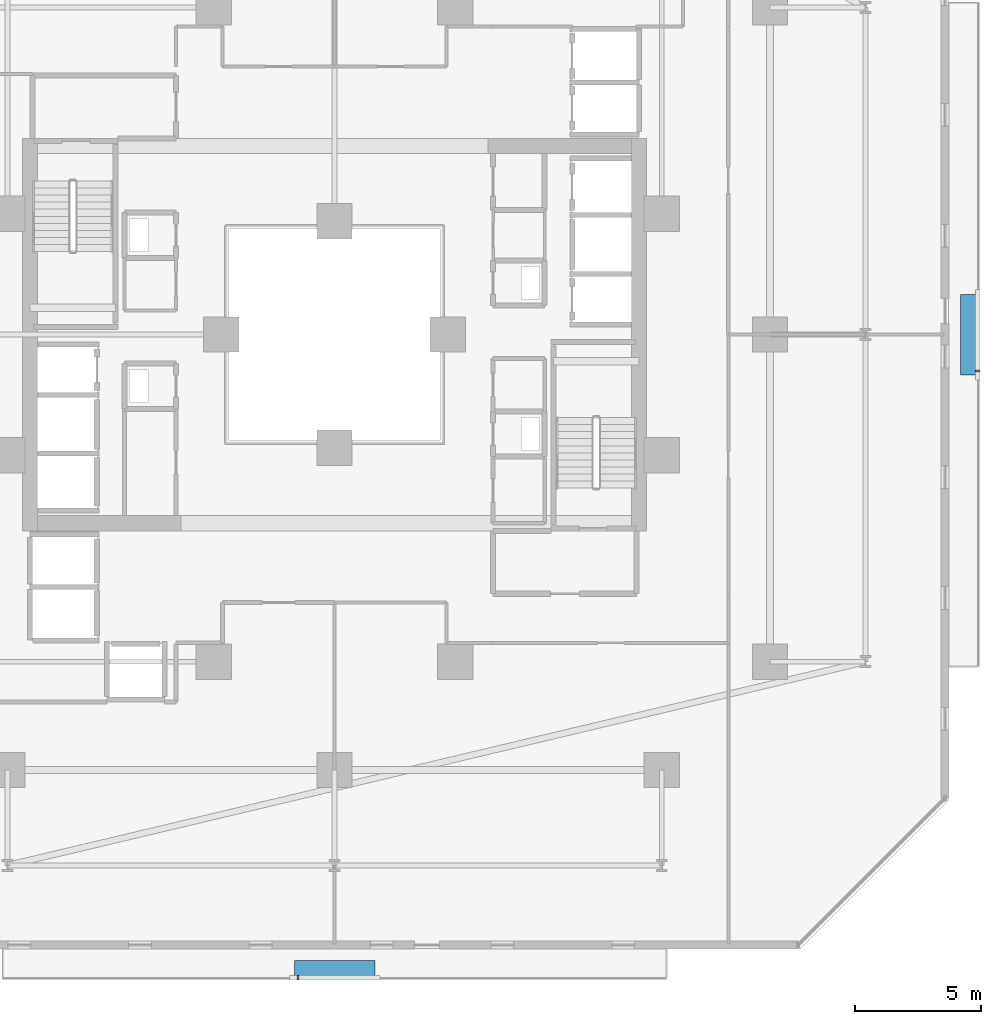
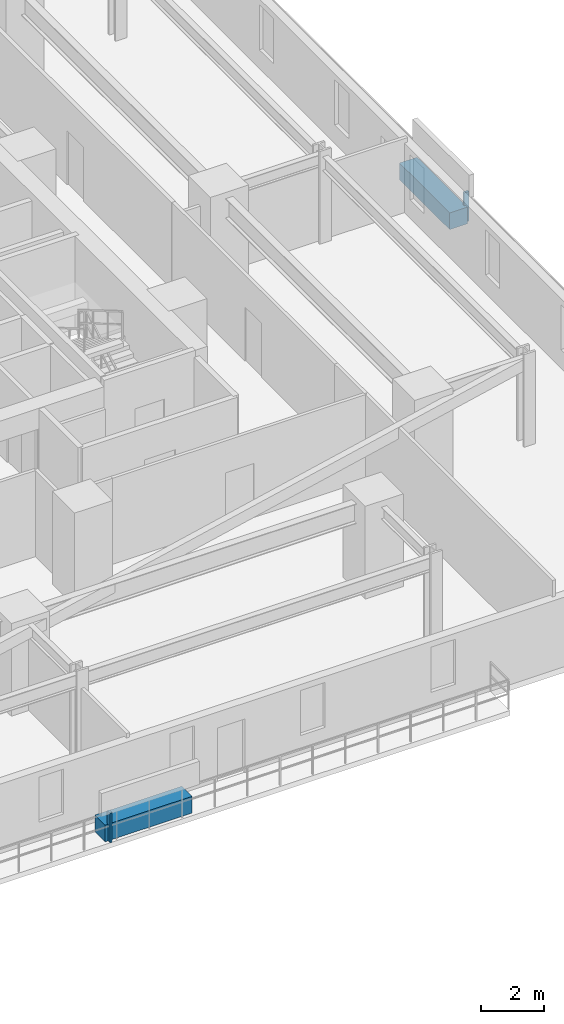
# One storey, part 28 of 33: 4 discrete accessories.
"""IFC4 building model written with IfcOpenShell, lengths in metres."""

import ifcopenshell
import ifcopenshell.guid

model = None  # the IFC model being written
_history = None  # IfcOwnerHistory: only IFC2X3 demands one
_inside = {}  # id of a spatial element -> (the spatial element, [elements in it])
_under = {}  # id of a project, library or spatial element -> (it, [spatial elements below it])
_declared = {}  # id of a project -> (the project, [libraries it declares])
_typed = {}  # id of a type object -> (the type object, [elements of that type])
_made_of = {}  # id of a material, layer set ... -> (it, [elements and type objects made of it])


def new_model(schema):
    """Start an empty IFC model of exactly this schema.

    Asked for "IFC4X3", IfcOpenShell would pick the latest addendum, in which some entities
    have other attributes; the version numbers below select the first issue.
    IFC2X3 requires an IfcOwnerHistory on every rooted entity: one is made here for all.
    """
    global model, _history
    if schema == "IFC4X3":
        model = ifcopenshell.file(schema_version=(4, 3, 0, 0))
    else:
        model = ifcopenshell.file(schema=schema)
    _inside.clear()
    _under.clear()
    _declared.clear()
    _typed.clear()
    _made_of.clear()
    _history = None
    if model.schema == "IFC2X3":
        org = make("IfcOrganization", Name="unknown")
        user = make(
            "IfcPersonAndOrganization",
            ThePerson=make("IfcPerson", FamilyName="unknown"),
            TheOrganization=org,
        )
        app = make(
            "IfcApplication",
            ApplicationDeveloper=org,
            Version="unknown",
            ApplicationFullName="unknown",
            ApplicationIdentifier="unknown",
        )
        _history = make(
            "IfcOwnerHistory",
            OwningUser=user,
            OwningApplication=app,
            ChangeAction="ADDED",
            CreationDate=0,
        )
    return model


def make(cls, **values):
    """One entity of the class cls with the attributes given. An attribute that is None is left unset."""
    return model.create_entity(
        cls, **{name: value for name, value in values.items() if value is not None}
    )


def rooted(cls, **values):
    """An entity with a GlobalId (a new one), such as an element, a storey or a relation."""
    return make(cls, GlobalId=ifcopenshell.guid.new(), OwnerHistory=_history, **values)


def si_unit(unit_type, name, prefix=None):
    """IfcSIUnit, for example si_unit("LENGTHUNIT", "METRE", prefix="MILLI")."""
    return make("IfcSIUnit", UnitType=unit_type, Prefix=prefix, Name=name)


def assignment(units):
    """IfcUnitAssignment: the units of a project."""
    return None if units is None else make("IfcUnitAssignment", Units=units)


def point(xyz):
    """IfcCartesianPoint."""
    return None if xyz is None else make("IfcCartesianPoint", Coordinates=xyz)


def direction(xyz):
    """IfcDirection."""
    return None if xyz is None else make("IfcDirection", DirectionRatios=xyz)


def frame(location, z_axis=None, x_axis=None):
    """IfcAxis2Placement3D, a coordinate frame: its origin and axes. An axis left out is left unset."""
    return make(
        "IfcAxis2Placement3D",
        Location=point(location),
        Axis=direction(z_axis),
        RefDirection=direction(x_axis),
    )


def frame_2d(location, x_axis=None):
    """IfcAxis2Placement2D, a coordinate frame in the plane: its origin and x axis."""
    return make(
        "IfcAxis2Placement2D", Location=point(location), RefDirection=direction(x_axis)
    )


def origin():
    """The frame at (0, 0, 0) with its axes left unset."""
    return frame((0.0, 0.0, 0.0))


def origin_2d():
    """The frame at (0, 0) in the plane with its x axis left unset."""
    return frame_2d((0.0, 0.0))


def place(relative_to, where):
    """IfcLocalPlacement: puts the frame where relative to a parent placement (None: the world)."""
    return make(
        "IfcLocalPlacement", PlacementRelTo=relative_to, RelativePlacement=where
    )


def context(
    kind, dimensions, precision=None, world=None, true_north=None, identifier=None
):
    """IfcGeometricRepresentationContext, for example the 3D "Model" context."""
    return make(
        "IfcGeometricRepresentationContext",
        ContextIdentifier=identifier,
        ContextType=kind,
        CoordinateSpaceDimension=dimensions,
        Precision=precision,
        WorldCoordinateSystem=world,
        TrueNorth=true_north,
    )


def subcontext(parent, identifier, kind, view, scale=None):
    """IfcGeometricRepresentationSubContext, for example "Body" below "Model"."""
    return make(
        "IfcGeometricRepresentationSubContext",
        ContextIdentifier=identifier,
        ContextType=kind,
        ParentContext=parent,
        TargetScale=scale,
        TargetView=view,
    )


def project(units=None, contexts=None):
    """IfcProject with its units and contexts."""
    return rooted(
        "IfcProject",
        Name="project",
        RepresentationContexts=contexts,
        UnitsInContext=assignment(units),
    )


def spatial(cls, under=None, at=None, **own):
    """A site, building, storey or space (cls), placed at a placement, below another one or the project."""
    s = rooted(cls, ObjectPlacement=at, **own)
    if under is not None:
        _under.setdefault(under.id(), (under, []))[1].append(s)
    return s


def profile(cls, at=None, kind="AREA", **sizes):
    """A parametric profile (cls). Its sizes go by their IFC names, for example OverallWidth=200.0."""
    return make(cls, ProfileType=kind, Position=at, **sizes)


def rectangle(**sizes):
    """IfcRectangleProfileDef."""
    return profile("IfcRectangleProfileDef", **sizes)


def extrude(swept, where, along, depth):
    """IfcExtrudedAreaSolid: the profile swept, set in the frame where, extruded along a direction by depth."""
    return make(
        "IfcExtrudedAreaSolid",
        SweptArea=swept,
        Position=where,
        ExtrudedDirection=direction(along),
        Depth=depth,
    )


def shape(context_of_items, identifier, shape_type, items):
    """IfcShapeRepresentation: the items that make up one representation, for example the "Body"."""
    return make(
        "IfcShapeRepresentation",
        ContextOfItems=context_of_items,
        RepresentationIdentifier=identifier,
        RepresentationType=shape_type,
        Items=items,
    )


def material(Name=None, Category=None):
    """IfcMaterial."""
    return make("IfcMaterial", Name=Name, Category=Category)


def made_of(thing, what):
    """Note that an element or type object is made of a material, layer set ...; save() writes the relation."""
    if what is not None:
        _made_of.setdefault(what.id(), (what, []))[1].append(thing)
    return thing


def type_object(cls, material=None, **own):
    """A type object (cls), such as IfcWallType, which elements share."""
    return made_of(rooted(cls, **own), material)


def element(
    cls,
    number,
    at=None,
    inside=None,
    cuts=None,
    type_object=None,
    material=None,
    context=None,
    identifier="Body",
    shape_type=None,
    held_by="IfcProductDefinitionShape",
    body=None,
    shapes=None,
    **own,
):
    """One element of the class cls, such as IfcWall. Its Tag is "e" and its number.

    at: its placement. inside: the storey or other place that contains it. cuts: it is an
    opening in that element (IfcRelVoidsElement). A single representation is given by context,
    identifier, shape_type and body (its items); several are given by shapes. held_by: the class
    of the entity that holds the representations. save() writes the other relations.
    """
    e = rooted(cls, Tag="e%d" % number, ObjectPlacement=at, **own)
    if body is not None:
        shapes = [shape(context, identifier, shape_type, body)]
    if shapes is not None:
        e.Representation = make(held_by, Representations=shapes)
    if inside is not None:
        _inside.setdefault(inside.id(), (inside, []))[1].append(e)
    if cuts is not None:
        rooted(
            "IfcRelVoidsElement", RelatingBuildingElement=cuts, RelatedOpeningElement=e
        )
    if type_object is not None:
        _typed.setdefault(type_object.id(), (type_object, []))[1].append(e)
    return made_of(e, material)


def aggregate(whole, parts):
    """IfcRelAggregates: a whole, such as a stair, and the parts it consists of."""
    return rooted("IfcRelAggregates", RelatingObject=whole, RelatedObjects=parts)


def save(model, path):
    """Write the relations noted so far, then the file.

    IfcRelAggregates (storeys below a building ...), IfcRelContainedInSpatialStructure (elements
    in a storey), IfcRelDefinesByType, IfcRelAssociatesMaterial and IfcRelDeclares: one each for
    every whole, place, type object, material and project.
    """
    for whole, parts in _under.values():
        aggregate(whole, parts)
    for where, things in _inside.values():
        rooted(
            "IfcRelContainedInSpatialStructure",
            RelatedElements=things,
            RelatingStructure=where,
        )
    for kind, things in _typed.values():
        rooted("IfcRelDefinesByType", RelatedObjects=things, RelatingType=kind)
    for what, things in _made_of.values():
        rooted("IfcRelAssociatesMaterial", RelatedObjects=things, RelatingMaterial=what)
    for by, libraries in _declared.values():
        rooted("IfcRelDeclares", RelatingContext=by, RelatedDefinitions=libraries)
    model.write(path)


model = new_model("IFC4")

# Units and contexts
model_context = context("Model", 3, precision=1e-05, world=origin(), true_north=direction((0.0, 1.0)))
body_context = subcontext(model_context, "Body", "Model", "MODEL_VIEW")
ifc_project = project(units=[si_unit("LENGTHUNIT", "METRE"), si_unit("AREAUNIT", "SQUARE_METRE"), si_unit("VOLUMEUNIT", "CUBIC_METRE"), si_unit("PLANEANGLEUNIT", "RADIAN"), si_unit("MASSUNIT", "GRAM", prefix="KILO")], contexts=[model_context])

# Site, building, storey
site_placement = place(None, origin())
site = spatial("IfcSite", under=ifc_project, at=site_placement, CompositionType="ELEMENT")
building_placement = place(site_placement, origin())
building = spatial("IfcBuilding", under=site, at=building_placement, Name="Thornwick Lancets Civic Towers", CompositionType="ELEMENT")
storey_placement = place(building_placement, frame((0.0, 0.0, 31.5)))
storey = spatial("IfcBuildingStorey", under=building, at=storey_placement, Name="L07", CompositionType="ELEMENT", Elevation=31.5)

# Discrete accessories
ifc_material_1 = material(Name="Planted terracotta greenery planter", Category="masonry")
discrete_accessory_type_1 = type_object("IfcDiscreteAccessoryType", Name="ACC_PLANTER_BOX", PredefinedType="USERDEFINED", material=ifc_material_1)
discrete_accessory_1_placement = place(storey_placement, frame((88.5, 1.800048828125, 0.0), z_axis=(0.0, 0.0, 1.0), x_axis=(1.0, 0.0, 0.0)))
element("IfcDiscreteAccessory", 1, at=discrete_accessory_1_placement, inside=storey, type_object=discrete_accessory_type_1, Name="L07 Tower B Balcony Greenery Planter S", ObjectType="PLANTER", PredefinedType="USERDEFINED", context=body_context, shape_type="SweptSolid", body=[
    extrude(rectangle(XDim=3.199951171875, YDim=0.64990234375, at=origin_2d()), origin(), (0.0, 0.0, 1.0), 0.64990234375),
])
discrete_accessory_2_placement = place(storey_placement, frame((113.699951171875, 27.0, 0.0), z_axis=(0.0, 0.0, 1.0), x_axis=(1.0, 0.0, 0.0)))
element("IfcDiscreteAccessory", 2, at=discrete_accessory_2_placement, inside=storey, type_object=discrete_accessory_type_1, Name="L07 Tower B Balcony Greenery Planter E", ObjectType="PLANTER", PredefinedType="USERDEFINED", context=body_context, shape_type="SweptSolid", body=[
    extrude(rectangle(XDim=0.64990234375, YDim=3.199951171875, at=origin_2d()), origin(), (0.0, 0.0, 1.0), 0.64990234375),
])
ifc_material_2 = material(Name="Stainless steel S355", Category="steel")
discrete_accessory_type_2 = type_object("IfcDiscreteAccessoryType", Name="ACC_SCREEN_BRACKET", PredefinedType="BRACKET", material=ifc_material_2)
for number, where, z_axis, x_axis, name in (
    (3, (87.050048828125, 1.43994140625, 0.0), (0.0, 0.0, 1.0), (1.0, 0.0, 0.0), "L07 Tower B Balcony Screen Stanchion Bracket S-1"),
    (4, (114.06005859375, 25.550048828125, 0.0), (0.0, 0.0, 1.0), (0.0, 1.0, 0.0), "L07 Tower B Balcony Screen Stanchion Bracket E-1"),
):
    element("IfcDiscreteAccessory", number, at=place(storey_placement, frame(where, z_axis=z_axis, x_axis=x_axis)), inside=storey, type_object=discrete_accessory_type_2, Name=name, PredefinedType="BRACKET", context=body_context, shape_type="SweptSolid", body=[
        extrude(rectangle(XDim=0.080078125, YDim=0.179931640625, at=origin_2d()), origin(), (0.0, 0.0, 1.0), 1.14990234375),
    ])

save(model, "model.ifc")
